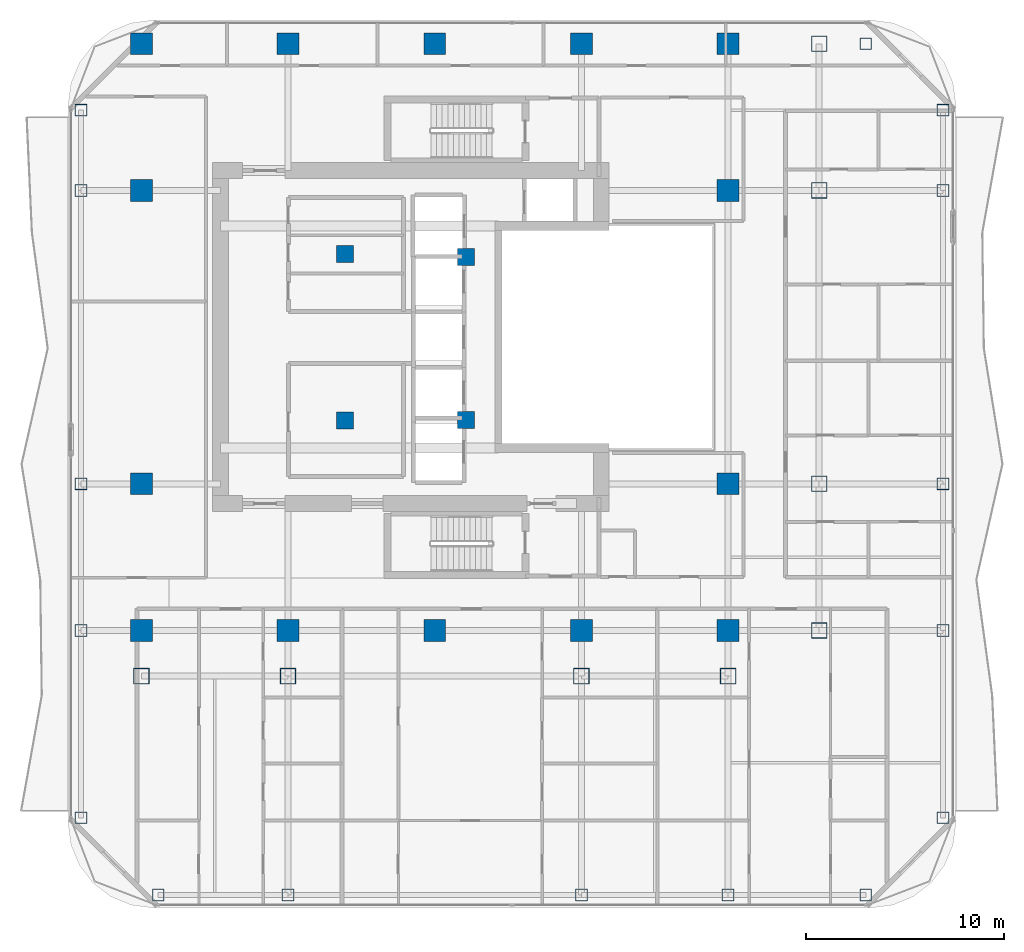
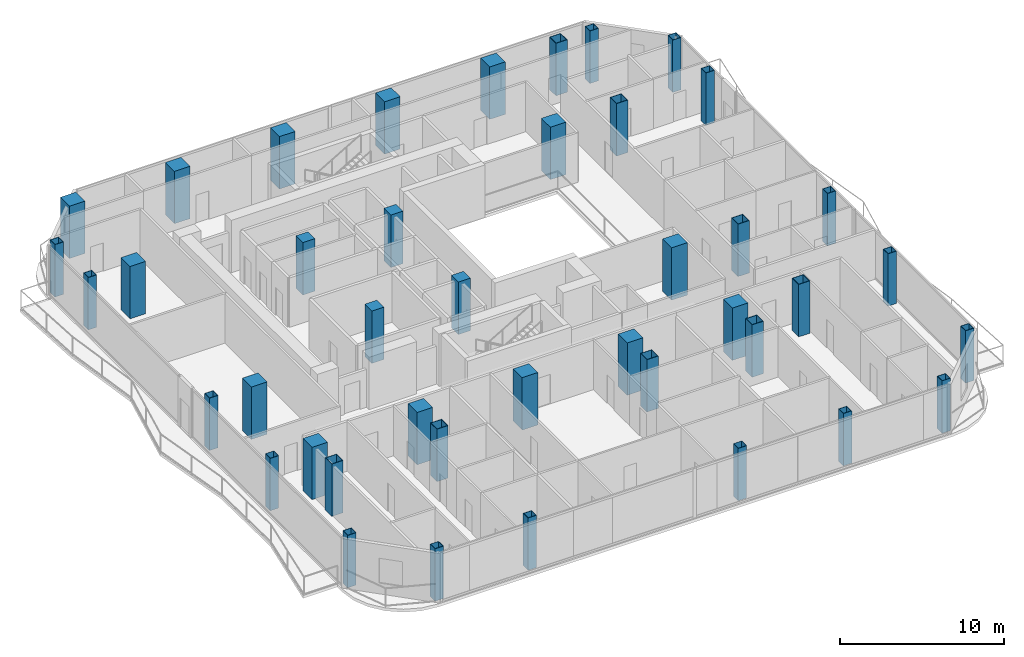
# One storey, part 1 of 27: 42 columns.
"""IFC4 building model written with IfcOpenShell, lengths in metres."""

from ifc_helpers import new_model, si_unit, direction, frame, origin, origin_2d, place, context, subcontext, project, spatial, rectangle, hollow_rectangle, extrude, material, material_profile, profile_set, type_object, element, save


model = new_model("IFC4")

# Units and contexts
model_context = context("Model", 3, precision=1e-05, world=origin(), true_north=direction((0.0, 1.0)))
body_context = subcontext(model_context, "Body", "Model", "MODEL_VIEW")
ifc_project = project(units=[si_unit("LENGTHUNIT", "METRE"), si_unit("AREAUNIT", "SQUARE_METRE"), si_unit("VOLUMEUNIT", "CUBIC_METRE"), si_unit("PLANEANGLEUNIT", "RADIAN"), si_unit("MASSUNIT", "GRAM", prefix="KILO")], contexts=[model_context])

# Site, building, storey
site_placement = place(None, origin())
site = spatial("IfcSite", under=ifc_project, at=site_placement, CompositionType="ELEMENT")
building_placement = place(site_placement, origin())
building = spatial("IfcBuilding", under=site, at=building_placement, Name="Khorvyn Point Tower", CompositionType="ELEMENT")
storey_placement = place(building_placement, frame((0.0, 0.0, 227.39990234375)))
storey = spatial("IfcBuildingStorey", under=building, at=storey_placement, Name="L56", CompositionType="ELEMENT", Elevation=227.39990234375)

# Columns
ifc_material_1 = material(Name="Concrete C40/50", Category="concrete")
ifc_material_profile_1 = material_profile(ifc_material_1, rectangle(XDim=0.85009765625, YDim=0.85009765625, at=origin_2d()))
ifc_profile_set_1 = profile_set([ifc_material_profile_1], Name="Concrete C40/50 RC850x850")
column_type_1 = type_object("IfcColumnType", Name="Concrete C40/50 Column RC850x850", PredefinedType="COLUMN", material=ifc_profile_set_1)
for number, where, z_axis, x_axis, name in (
    (1, (-4.52001953125, -4.199951171875, 0.0), (0.0, 0.0, 1.0), (1.0, 0.0, 0.0), "L56 Crown Core Spine Column 1"),
    (2, (1.580078125, -4.179931640625, 0.0), (0.0, 0.0, 1.0), (1.0, 0.0, 0.0), "L56 Crown Core Spine Column 2"),
    (3, (1.580078125, 4.050048828125, 0.0), (0.0, 0.0, 1.0), (1.0, 0.0, 0.0), "L56 Crown Core Spine Column 3"),
    (4, (-4.52001953125, 4.199951171875, 0.0), (0.0, 0.0, 1.0), (1.0, 0.0, 0.0), "L56 Crown Core Spine Column 4"),
):
    element("IfcColumn", number, at=place(storey_placement, frame(where, z_axis=z_axis, x_axis=x_axis)), inside=storey, type_object=column_type_1, Name=name, PredefinedType="COLUMN", context=body_context, shape_type="SweptSolid", body=[
        extrude(rectangle(XDim=0.85009765625, YDim=0.85009765625, at=origin_2d()), origin(), (0.0, 0.0, 1.0), 3.900146484375),
    ])
ifc_material_2 = material(Name="Concrete C45/55", Category="concrete")
ifc_material_profile_2 = material_profile(ifc_material_2, rectangle(XDim=1.10009765625, YDim=1.10009765625, at=origin_2d()))
ifc_profile_set_2 = profile_set([ifc_material_profile_2], Name="Concrete C45/55 RC1100x1100")
column_type_2 = type_object("IfcColumnType", Name="Concrete C45/55 Column RC1100x1100", PredefinedType="COLUMN", material=ifc_profile_set_2)
for number, where, z_axis, x_axis, name in (
    (5, (-14.800048828125, -14.800048828125, 0.0), (0.0, 0.0, 1.0), (1.0, 0.0, 0.0), "L56 Mega-Column MC-01"),
    (6, (-7.39990234375, -14.800048828125, 0.0), (0.0, 0.0, 1.0), (1.0, 0.0, 0.0), "L56 Mega-Column MC-02"),
    (7, (0.0, -14.800048828125, 0.0), (0.0, 0.0, 1.0), (1.0, 0.0, 0.0), "L56 Mega-Column MC-03"),
    (8, (7.39990234375, -14.800048828125, 0.0), (0.0, 0.0, 1.0), (1.0, 0.0, 0.0), "L56 Mega-Column MC-04"),
    (9, (14.800048828125, -14.800048828125, 0.0), (0.0, 0.0, 1.0), (1.0, 0.0, 0.0), "L56 Mega-Column MC-05"),
    (10, (-14.800048828125, 14.800048828125, 0.0), (0.0, 0.0, 1.0), (1.0, 0.0, 0.0), "L56 Mega-Column MC-06"),
    (11, (-7.39990234375, 14.800048828125, 0.0), (0.0, 0.0, 1.0), (1.0, 0.0, 0.0), "L56 Mega-Column MC-07"),
    (12, (0.0, 14.800048828125, 0.0), (0.0, 0.0, 1.0), (1.0, 0.0, 0.0), "L56 Mega-Column MC-08"),
    (13, (7.39990234375, 14.800048828125, 0.0), (0.0, 0.0, 1.0), (1.0, 0.0, 0.0), "L56 Mega-Column MC-09"),
    (14, (14.800048828125, 14.800048828125, 0.0), (0.0, 0.0, 1.0), (1.0, 0.0, 0.0), "L56 Mega-Column MC-10"),
    (15, (-14.800048828125, -7.39990234375, 0.0), (0.0, 0.0, 1.0), (1.0, 0.0, 0.0), "L56 Mega-Column MC-11"),
    (16, (-14.800048828125, 7.39990234375, 0.0), (0.0, 0.0, 1.0), (1.0, 0.0, 0.0), "L56 Mega-Column MC-12"),
    (17, (14.800048828125, -7.39990234375, 0.0), (0.0, 0.0, 1.0), (1.0, 0.0, 0.0), "L56 Mega-Column MC-13"),
    (18, (14.800048828125, 7.39990234375, 0.0), (0.0, 0.0, 1.0), (1.0, 0.0, 0.0), "L56 Mega-Column MC-14"),
):
    element("IfcColumn", number, at=place(storey_placement, frame(where, z_axis=z_axis, x_axis=x_axis)), inside=storey, type_object=column_type_2, Name=name, PredefinedType="COLUMN", context=body_context, shape_type="SweptSolid", body=[
        extrude(rectangle(XDim=1.10009765625, YDim=1.10009765625, at=origin_2d()), origin(), (0.0, 0.0, 1.0), 3.900146484375),
    ])
ifc_material_3 = material(Name="Steel S450", Category="steel")
ifc_material_profile_3 = material_profile(ifc_material_3, hollow_rectangle(XDim=0.60009765625, YDim=0.60009765625, WallThickness=0.028076171875, at=origin_2d()))
ifc_profile_set_3 = profile_set([ifc_material_profile_3], Name="Steel S450 BOX600x600x28")
column_type_3 = type_object("IfcColumnType", Name="Steel S450 Structural Column BOX600x600x28", PredefinedType="COLUMN", material=ifc_profile_set_3)
for number, where, z_axis, x_axis, name in (
    (19, (-13.949951171875, -28.14990234375, 0.0), (0.0, 0.0, 1.0), (1.0, 0.0, 0.0), "L56 Perimeter Tube Column TC-01"),
    (20, (21.75, -28.14990234375, 0.0), (0.0, 0.0, 1.0), (1.0, 0.0, 0.0), "L56 Perimeter Tube Column TC-02"),
    (21, (21.75, 14.800048828125, 0.0), (0.0, 0.0, 1.0), (1.0, 0.0, 0.0), "L56 Perimeter Tube Column TC-03"),
    (22, (-17.85009765625, -24.25, 0.0), (0.0, 0.0, 1.0), (1.0, 0.0, 0.0), "L56 Perimeter Tube Column TC-04"),
    (23, (-17.85009765625, 11.449951171875, 0.0), (0.0, 0.0, 1.0), (1.0, 0.0, 0.0), "L56 Perimeter Tube Column TC-05"),
    (24, (25.64990234375, -24.25, 0.0), (0.0, 0.0, 1.0), (1.0, 0.0, 0.0), "L56 Perimeter Tube Column TC-06"),
    (25, (25.64990234375, 11.449951171875, 0.0), (0.0, 0.0, 1.0), (1.0, 0.0, 0.0), "L56 Perimeter Tube Column TC-07"),
    (26, (-7.39990234375, -28.14990234375, 0.0), (0.0, 0.0, 1.0), (1.0, 0.0, 0.0), "L56 Perimeter Tube Column TC-08"),
    (27, (7.39990234375, -28.14990234375, 0.0), (0.0, 0.0, 1.0), (1.0, 0.0, 0.0), "L56 Perimeter Tube Column TC-09"),
    (28, (14.800048828125, -28.14990234375, 0.0), (0.0, 0.0, 1.0), (1.0, 0.0, 0.0), "L56 Perimeter Tube Column TC-10"),
    (29, (-17.85009765625, -14.800048828125, 0.0), (0.0, 0.0, 1.0), (1.0, 0.0, 0.0), "L56 Perimeter Tube Column TC-11"),
    (30, (25.64990234375, -14.800048828125, 0.0), (0.0, 0.0, 1.0), (1.0, 0.0, 0.0), "L56 Perimeter Tube Column TC-12"),
    (31, (-17.85009765625, -7.39990234375, 0.0), (0.0, 0.0, 1.0), (1.0, 0.0, 0.0), "L56 Perimeter Tube Column TC-13"),
    (32, (25.64990234375, -7.39990234375, 0.0), (0.0, 0.0, 1.0), (1.0, 0.0, 0.0), "L56 Perimeter Tube Column TC-14"),
    (33, (-17.85009765625, 7.39990234375, 0.0), (0.0, 0.0, 1.0), (1.0, 0.0, 0.0), "L56 Perimeter Tube Column TC-15"),
    (34, (25.64990234375, 7.39990234375, 0.0), (0.0, 0.0, 1.0), (1.0, 0.0, 0.0), "L56 Perimeter Tube Column TC-16"),
):
    element("IfcColumn", number, at=place(storey_placement, frame(where, z_axis=z_axis, x_axis=x_axis)), inside=storey, type_object=column_type_3, Name=name, PredefinedType="COLUMN", context=body_context, shape_type="SweptSolid", body=[
        extrude(hollow_rectangle(XDim=0.60009765625, YDim=0.60009765625, WallThickness=0.028076171875, at=origin_2d()), origin(), (0.0, 0.0, 1.0), 3.900146484375),
    ])
ifc_material_profile_4 = material_profile(ifc_material_3, hollow_rectangle(XDim=0.800048828125, YDim=0.800048828125, WallThickness=0.035888671875, at=origin_2d()))
ifc_profile_set_4 = profile_set([ifc_material_profile_4], Name="Steel S450 BOX800x800x36")
column_type_4 = type_object("IfcColumnType", Name="Steel S450 Structural Column BOX800x800x36", PredefinedType="COLUMN", material=ifc_profile_set_4)
for number, where, z_axis, x_axis, name in (
    (35, (19.39990234375, -14.800048828125, 0.0), (0.0, 0.0, 1.0), (1.0, 0.0, 0.0), "L56 Intermediate Column ICE--14"),
    (36, (19.39990234375, -7.39990234375, 0.0), (0.0, 0.0, 1.0), (1.0, 0.0, 0.0), "L56 Intermediate Column ICE--7"),
    (37, (19.39990234375, 7.39990234375, 0.0), (0.0, 0.0, 1.0), (1.0, 0.0, 0.0), "L56 Intermediate Column ICE-7"),
    (38, (19.39990234375, 14.800048828125, 0.0), (0.0, 0.0, 1.0), (1.0, 0.0, 0.0), "L56 Intermediate Column ICE-14"),
    (39, (-14.800048828125, -17.10009765625, 0.0), (0.0, 0.0, 1.0), (1.0, 0.0, 0.0), "L56 Intermediate Column ICS--14"),
    (40, (-7.39990234375, -17.10009765625, 0.0), (0.0, 0.0, 1.0), (1.0, 0.0, 0.0), "L56 Intermediate Column ICS--7"),
    (41, (7.39990234375, -17.10009765625, 0.0), (0.0, 0.0, 1.0), (1.0, 0.0, 0.0), "L56 Intermediate Column ICS-7"),
    (42, (14.800048828125, -17.10009765625, 0.0), (0.0, 0.0, 1.0), (1.0, 0.0, 0.0), "L56 Intermediate Column ICS-14"),
):
    element("IfcColumn", number, at=place(storey_placement, frame(where, z_axis=z_axis, x_axis=x_axis)), inside=storey, type_object=column_type_4, Name=name, PredefinedType="COLUMN", context=body_context, shape_type="SweptSolid", body=[
        extrude(hollow_rectangle(XDim=0.800048828125, YDim=0.800048828125, WallThickness=0.035888671875, at=origin_2d()), origin(), (0.0, 0.0, 1.0), 3.900146484375),
    ])

save(model, "model.ifc")
